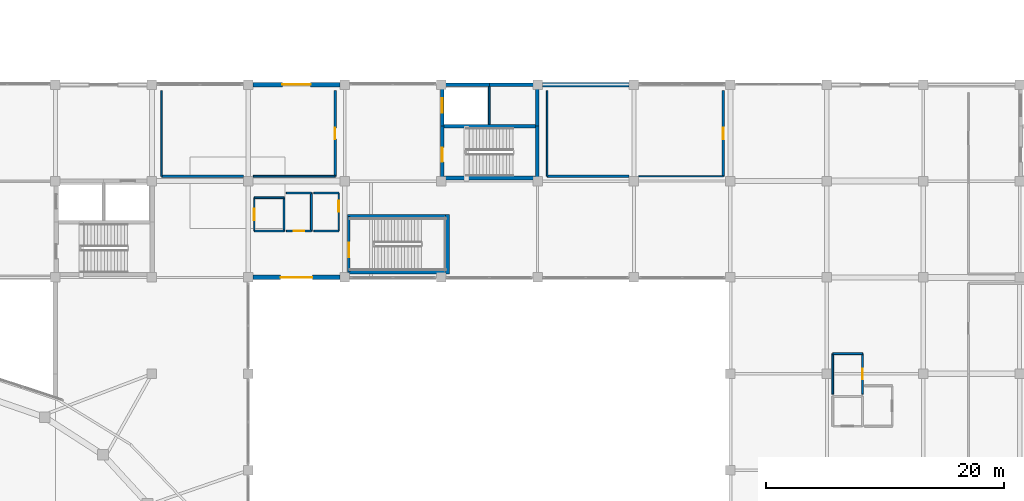
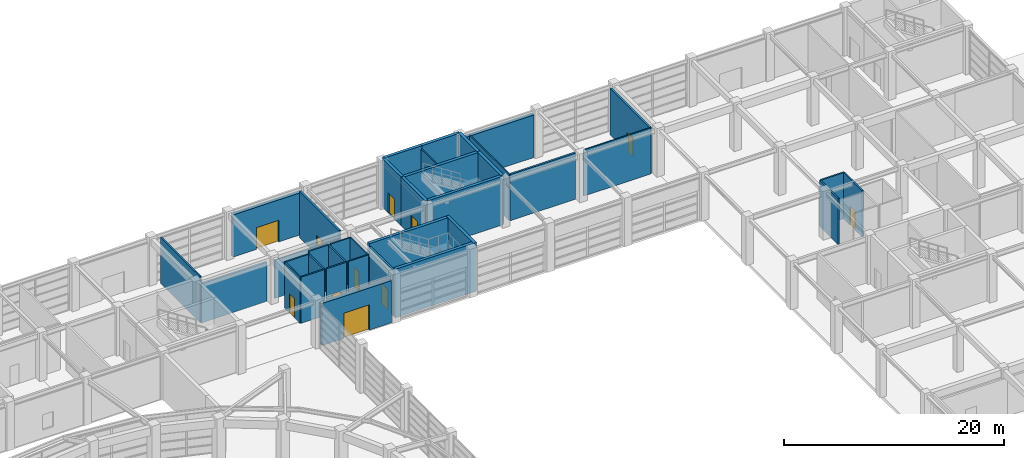
# One storey, part 40 of 52: 37 walls, 11 doors, 11 openings.
"""IFC4 building model written with IfcOpenShell, lengths in metres."""

from ifc_helpers import new_model, si_unit, direction, frame, frame_2d, origin, place, context, subcontext, project, spatial, rectangle, extrude, material, layer, layer_set, type_object, element, fill, save


model = new_model("IFC4")

# Units and contexts
model_context = context("Model", 3, precision=1e-05, world=origin(), true_north=direction((0.0, 1.0)))
body_context = subcontext(model_context, "Body", "Model", "MODEL_VIEW")
ifc_project = project(units=[si_unit("LENGTHUNIT", "METRE"), si_unit("AREAUNIT", "SQUARE_METRE"), si_unit("VOLUMEUNIT", "CUBIC_METRE"), si_unit("PLANEANGLEUNIT", "RADIAN"), si_unit("MASSUNIT", "GRAM", prefix="KILO")], contexts=[model_context])

# Site, building, storey
site_placement = place(None, origin())
site = spatial("IfcSite", under=ifc_project, at=site_placement, CompositionType="ELEMENT")
building_placement = place(site_placement, origin())
building = spatial("IfcBuilding", under=site, at=building_placement, Name="Parian Resonance Hall", CompositionType="ELEMENT")
storey_placement = place(building_placement, origin())
storey = spatial("IfcBuildingStorey", under=building, at=storey_placement, Name="L00", CompositionType="ELEMENT", Elevation=0.0)

# Wall, opening, door
ifc_material_1 = material(Name="Concrete C40/50", Category="concrete")
ifc_layer_1 = layer(ifc_material_1, 0.31005859375)
ifc_layer_set_1 = layer_set([ifc_layer_1], Name="Concrete C40/50")
wall_type_1 = type_object("IfcWallType", Name="CW310", PredefinedType="SHEAR", material=ifc_layer_set_1)
wall_1_placement = place(storey_placement, frame((89.18994140625, 81.25, 0.0), z_axis=(0.0, 0.0, 1.0), x_axis=(0.0, 1.0, 0.0)))
wall_1 = element("IfcWall", 1, at=wall_1_placement, inside=storey, type_object=wall_type_1, Name="Core K5 stairwell west shear wall L00", PredefinedType="SHEAR", context=body_context, shape_type="SweptSolid", body=[
    extrude(rectangle(XDim=4.360107421875, YDim=0.31005859375, at=frame_2d((2.18017578125, 0.0))), origin(), (0.0, 0.0, 1.0), 5.39990234375),
])
opening_1_placement = place(wall_1_placement, frame((1.35009765625, 0.0, 0.0)))
opening_1 = element("IfcOpeningElement", 2, at=opening_1_placement, cuts=wall_1, Name="Opening FD-01", PredefinedType="OPENING", context=body_context, shape_type="SweptSolid", body=[
    extrude(rectangle(XDim=1.199951171875, YDim=2.25, at=frame_2d((0.60009765625, 1.125))), frame((0.0, 0.1650390625, 0.0), z_axis=(0.0, -1.0, 0.0), x_axis=(1.0, 0.0, 0.0)), (0.0, 0.0, 1.0), 0.330078125),
])
ifc_material_2 = material(Name="Fire-rated acoustic steel and narra timber door", Category="steel")
door_type_1 = type_object("IfcDoorType", Name="FD-01", OperationType="NOTDEFINED", PredefinedType="DOOR", material=ifc_material_2)
door_1_placement = place(opening_1_placement, origin())
door_1 = element("IfcDoor", 3, at=door_1_placement, inside=storey, type_object=door_type_1, Name="Exit stair ST-05 fire door L00", OperationType="SINGLE_SWING_RIGHT", OverallHeight=2.25, OverallWidth=1.199951171875, PredefinedType="DOOR", context=body_context, shape_type="SweptSolid", body=[
    extrude(rectangle(XDim=1.199951171875, YDim=2.25, at=frame_2d((0.60009765625, 1.125))), frame((0.0, 0.02490234375, 0.0), z_axis=(0.0, -1.0, 0.0), x_axis=(1.0, 0.0, 0.0)), (0.0, 0.0, 1.0), 0.050048828125),
])
fill(opening_1, door_1)

wall_2_placement = place(storey_placement, frame((89.18994140625, 85.610107421875, 0.0), z_axis=(0.0, 0.0, 1.0), x_axis=(0.0, 1.0, 0.0)))
wall_2 = element("IfcWall", 4, at=wall_2_placement, inside=storey, type_object=wall_type_1, Name="Core K5 lift shaft west shear wall L00", PredefinedType="SHEAR", context=body_context, shape_type="SweptSolid", body=[
    extrude(rectangle(XDim=3.489990234375, YDim=0.31005859375, at=frame_2d((1.7451171875, 0.0))), origin(), (0.0, 0.0, 1.0), 5.39990234375),
])
opening_2_placement = place(wall_2_placement, frame((1.14501953125, 0.0, 0.0)))
opening_2 = element("IfcOpeningElement", 5, at=opening_2_placement, cuts=wall_2, Name="Opening LD-01", PredefinedType="OPENING", context=body_context, shape_type="SweptSolid", body=[
    extrude(rectangle(XDim=1.199951171875, YDim=2.199951171875, at=frame_2d((0.60009765625, 1.10009765625))), frame((0.0, 0.1650390625, 0.0), z_axis=(0.0, -1.0, 0.0), x_axis=(1.0, 0.0, 0.0)), (0.0, 0.0, 1.0), 0.330078125),
])
ifc_material_3 = material(Name="Stainless steel and bronze elevator cab", Category="steel")
door_type_2 = type_object("IfcDoorType", Name="DOOR-LIFT-1200x2200", OperationType="SLIDING_TO_LEFT", PredefinedType="DOOR", material=ifc_material_3)
door_2_placement = place(opening_2_placement, origin())
door_2 = element("IfcDoor", 6, at=door_2_placement, inside=storey, type_object=door_type_2, Name="Lift LF-06 sliding landing door L00", OperationType="SLIDING_TO_LEFT", OverallHeight=2.199951171875, OverallWidth=1.199951171875, PredefinedType="DOOR", context=body_context, shape_type="SweptSolid", body=[
    extrude(rectangle(XDim=1.199951171875, YDim=2.199951171875, at=frame_2d((0.60009765625, 1.10009765625))), frame((0.0, 0.02490234375, 0.0), z_axis=(0.0, -1.0, 0.0), x_axis=(1.0, 0.0, 0.0)), (0.0, 0.0, 1.0), 0.050048828125),
])
fill(opening_2, door_2)

# Walls
wall_3_placement = place(storey_placement, frame((89.18994140625, 89.10009765625, 0.0), z_axis=(0.0, 0.0, 1.0), x_axis=(1.0, 0.0, 0.0)))
element("IfcWall", 7, at=wall_3_placement, inside=storey, type_object=wall_type_1, Name="Core K5 north-west shaft wall L00", PredefinedType="SHEAR", context=body_context, shape_type="SweptSolid", body=[
    extrude(rectangle(XDim=3.9599609375, YDim=0.31005859375, at=frame_2d((1.97998046875, 0.0))), origin(), (0.0, 0.0, 1.0), 5.39990234375),
])
wall_4_placement = place(storey_placement, frame((93.14990234375, 89.10009765625, 0.0), z_axis=(0.0, 0.0, 1.0), x_axis=(1.0, 0.0, 0.0)))
element("IfcWall", 8, at=wall_4_placement, inside=storey, type_object=wall_type_1, Name="Core K5 north-east shaft wall L00", PredefinedType="SHEAR", context=body_context, shape_type="SweptSolid", body=[
    extrude(rectangle(XDim=4.02001953125, YDim=0.31005859375, at=frame_2d((2.010009765625, 0.0))), origin(), (0.0, 0.0, 1.0), 5.39990234375),
])
wall_5_placement = place(storey_placement, frame((97.169921875, 89.10009765625, 0.0), z_axis=(0.0, 0.0, 1.0), x_axis=(0.0, -1.0, 0.0)))
element("IfcWall", 9, at=wall_5_placement, inside=storey, type_object=wall_type_1, Name="Core K5 east shaft wall L00", PredefinedType="SHEAR", context=body_context, shape_type="SweptSolid", body=[
    extrude(rectangle(XDim=3.489990234375, YDim=0.31005859375, at=frame_2d((1.7451171875, 0.0))), origin(), (0.0, 0.0, 1.0), 5.39990234375),
])
wall_6_placement = place(storey_placement, frame((97.169921875, 85.610107421875, 0.0), z_axis=(0.0, 0.0, 1.0), x_axis=(0.0, -1.0, 0.0)))
element("IfcWall", 10, at=wall_6_placement, inside=storey, type_object=wall_type_1, Name="Core K5 stairwell east wall L00", PredefinedType="SHEAR", context=body_context, shape_type="SweptSolid", body=[
    extrude(rectangle(XDim=4.360107421875, YDim=0.31005859375, at=frame_2d((2.18017578125, 0.0))), origin(), (0.0, 0.0, 1.0), 5.39990234375),
])
for number, where, z_axis, x_axis, name in (
    (11, (97.169921875, 81.25, 0.0), (0.0, 0.0, 1.0), (-1.0, 0.0, 0.0), "Core K5 stairwell south wall L00"),
    (12, (89.18994140625, 85.610107421875, 0.0), (0.0, 0.0, 1.0), (1.0, 0.0, 0.0), "Core K5 stair-lift divider wall L00"),
):
    element("IfcWall", number, at=place(storey_placement, frame(where, z_axis=z_axis, x_axis=x_axis)), inside=storey, type_object=wall_type_1, Name=name, PredefinedType="SHEAR", context=body_context, shape_type="SweptSolid", body=[
        extrude(rectangle(XDim=7.97998046875, YDim=0.31005859375, at=frame_2d((3.989990234375, 0.0))), origin(), (0.0, 0.0, 1.0), 5.39990234375),
    ])
wall_7_placement = place(storey_placement, frame((81.25, 73.35009765625, 0.0), z_axis=(0.0, 0.0, 1.0), x_axis=(1.0, 0.0, 0.0)))
element("IfcWall", 13, at=wall_7_placement, inside=storey, type_object=wall_type_1, Name="Enclosed foyer exit stair ST-08 shear wall L00-S", PredefinedType="SHEAR", context=body_context, shape_type="SweptSolid", body=[
    extrude(rectangle(XDim=8.544921875, YDim=0.31005859375, at=frame_2d((4.2724609375, 0.0))), origin(), (0.0, 0.0, 1.0), 5.39990234375),
])
wall_8_placement = place(storey_placement, frame((89.639892578125, 73.195068359375, 0.0), z_axis=(0.0, 0.0, 1.0), x_axis=(0.0, 1.0, 0.0)))
element("IfcWall", 14, at=wall_8_placement, inside=storey, type_object=wall_type_1, Name="Enclosed foyer exit stair ST-08 shear wall L00-E", PredefinedType="SHEAR", context=body_context, shape_type="SweptSolid", body=[
    extrude(rectangle(XDim=4.989990234375, YDim=0.31005859375, at=frame_2d((2.4951171875, 0.0))), origin(), (0.0, 0.0, 1.0), 5.39990234375),
])
wall_9_placement = place(storey_placement, frame((89.794921875, 78.030029296875, 0.0), z_axis=(0.0, 0.0, 1.0), x_axis=(-1.0, 0.0, 0.0)))
element("IfcWall", 15, at=wall_9_placement, inside=storey, type_object=wall_type_1, Name="Enclosed foyer exit stair ST-08 shear wall L00-N", PredefinedType="SHEAR", context=body_context, shape_type="SweptSolid", body=[
    extrude(rectangle(XDim=8.544921875, YDim=0.31005859375, at=frame_2d((4.2724609375, 0.0))), origin(), (0.0, 0.0, 1.0), 5.39990234375),
])

# Wall, opening, door
ifc_material_4 = material(Name="Concrete C35/45 with Carcar coral-limestone ashlar", Category="masonry")
ifc_layer_2 = layer(ifc_material_4, 0.3798828125)
ifc_layer_set_2 = layer_set([ifc_layer_2], Name="Concrete C35/45 with Carcar coral-limestone ashlar")
wall_type_2 = type_object("IfcWallType", Name="EW-PLINTH-380", PredefinedType="SOLIDWALL", material=ifc_layer_set_2)
wall_10_placement = place(storey_placement, frame((73.300048828125, 89.10009765625, 0.0), z_axis=(0.0, 0.0, 1.0), x_axis=(1.0, 0.0, 0.0)))
wall_10 = element("IfcWall", 16, at=wall_10_placement, inside=storey, type_object=wall_type_2, Name="Exterior wall EW-L00-0147", PredefinedType="SOLIDWALL", context=body_context, shape_type="SweptSolid", body=[
    extrude(rectangle(XDim=7.300048828125, YDim=0.3798828125, at=frame_2d((3.64990234375, 0.0))), origin(), (0.0, 0.0, 1.0), 4.675048828125),
])
opening_3_placement = place(wall_10_placement, frame((2.469970703125, 0.0, 0.0)))
opening_3 = element("IfcOpeningElement", 17, at=opening_3_placement, cuts=wall_10, Name="Opening EX-01", PredefinedType="OPENING", context=body_context, shape_type="SweptSolid", body=[
    extrude(rectangle(XDim=2.360107421875, YDim=2.39990234375, at=frame_2d((1.18017578125, 1.199951171875))), frame((0.0, 0.199951171875, 0.0), z_axis=(0.0, -1.0, 0.0), x_axis=(1.0, 0.0, 0.0)), (0.0, 0.0, 1.0), 0.39990234375),
])
ifc_material_5 = material(Name="Marine-grade bronze and acoustic glazed door")
door_type_3 = type_object("IfcDoorType", Name="ED-EXIT-2000x2400", OperationType="NOTDEFINED", PredefinedType="DOOR", material=ifc_material_5)
door_3_placement = place(opening_3_placement, origin())
door_3 = element("IfcDoor", 18, at=door_3_placement, inside=storey, type_object=door_type_3, Name="North garden exit door EX-V4-9", OperationType="DOUBLE_DOOR_SINGLE_SWING", OverallHeight=2.39990234375, OverallWidth=2.360107421875, PredefinedType="DOOR", context=body_context, shape_type="SweptSolid", body=[
    extrude(rectangle(XDim=2.360107421875, YDim=2.39990234375, at=frame_2d((1.18017578125, 1.199951171875))), frame((0.0, 0.02490234375, 0.0), z_axis=(0.0, -1.0, 0.0), x_axis=(1.0, 0.0, 0.0)), (0.0, 0.0, 1.0), 0.050048828125),
])
fill(opening_3, door_3)

# Wall
wall_11_placement = place(storey_placement, frame((97.60009765625, 89.10009765625, 0.0), z_axis=(0.0, 0.0, 1.0), x_axis=(1.0, 0.0, 0.0)))
element("IfcWall", 19, at=wall_11_placement, inside=storey, type_object=wall_type_2, Name="Exterior wall EW-L00-0148", PredefinedType="SOLIDWALL", context=body_context, shape_type="SweptSolid", body=[
    extrude(rectangle(XDim=7.2998046875, YDim=0.3798828125, at=frame_2d((3.64990234375, 0.0))), origin(), (0.0, 0.0, 1.0), 4.72705078125),
])

# Wall, opening, door
wall_12_placement = place(storey_placement, frame((80.60009765625, 72.89990234375, 0.0), z_axis=(0.0, 0.0, 1.0), x_axis=(-1.0, 0.0, 0.0)))
wall_12 = element("IfcWall", 20, at=wall_12_placement, inside=storey, type_object=wall_type_2, Name="Exterior wall EW-L00-0149", PredefinedType="SOLIDWALL", context=body_context, shape_type="SweptSolid", body=[
    extrude(rectangle(XDim=7.300048828125, YDim=0.3798828125, at=frame_2d((3.64990234375, 0.0))), origin(), (0.0, 0.0, 1.0), 4.675048828125),
])
opening_4_placement = place(wall_12_placement, frame((2.324951171875, 0.0, 0.0)))
opening_4 = element("IfcOpeningElement", 21, at=opening_4_placement, cuts=wall_12, Name="Opening CG-01", PredefinedType="OPENING", context=body_context, shape_type="SweptSolid", body=[
    extrude(rectangle(XDim=2.64990234375, YDim=2.800048828125, at=frame_2d((1.324951171875, 1.39990234375))), frame((0.0, 0.199951171875, 0.0), z_axis=(0.0, -1.0, 0.0), x_axis=(1.0, 0.0, 0.0)), (0.0, 0.0, 1.0), 0.39990234375),
])
ifc_material_6 = material(Name="Marine-grade bronze and acoustic glazed door")
door_type_4 = type_object("IfcDoorType", Name="GATE-COURT-2650x2800", OperationType="NOTDEFINED", PredefinedType="GATE", material=ifc_material_6)
door_4_placement = place(opening_4_placement, origin())
door_4 = element("IfcDoor", 22, at=door_4_placement, inside=storey, type_object=door_type_4, Name="Central court north bronze gate CG-N", OperationType="DOUBLE_DOOR_SINGLE_SWING", OverallHeight=2.800048828125, OverallWidth=2.64990234375, PredefinedType="GATE", context=body_context, shape_type="SweptSolid", body=[
    extrude(rectangle(XDim=2.64990234375, YDim=2.800048828125, at=frame_2d((1.324951171875, 1.39990234375))), frame((0.0, 0.02490234375, 0.0), z_axis=(0.0, -1.0, 0.0), x_axis=(1.0, 0.0, 0.0)), (0.0, 0.0, 1.0), 0.050048828125),
])
fill(opening_4, door_4)

ifc_material_7 = material(Name="Concrete C35/45 fire barrier", Category="concrete")
ifc_layer_3 = layer(ifc_material_7, 0.199951171875)
ifc_layer_set_3 = layer_set([ifc_layer_3], Name="Concrete C35/45 fire barrier")
wall_type_3 = type_object("IfcWallType", Name="FW200", PredefinedType="PARTITIONING", material=ifc_layer_set_3)
wall_13_placement = place(storey_placement, frame((81.35009765625, 73.35009765625, 0.0), z_axis=(0.0, 0.0, 1.0), x_axis=(0.0, 1.0, 0.0)))
wall_13 = element("IfcWall", 23, at=wall_13_placement, inside=storey, type_object=wall_type_3, Name="Enclosed foyer exit stair ST-08 fire-door front wall L00", PredefinedType="PARTITIONING", context=body_context, shape_type="SweptSolid", body=[
    extrude(rectangle(XDim=4.679931640625, YDim=0.199951171875, at=frame_2d((2.33984375, 0.0))), origin(), (0.0, 0.0, 1.0), 5.050048828125),
])
opening_5_placement = place(wall_13_placement, frame((1.25, 0.0, 0.0)))
opening_5 = element("IfcOpeningElement", 24, at=opening_5_placement, cuts=wall_13, Name="Opening FD-01", PredefinedType="OPENING", context=body_context, shape_type="SweptSolid", body=[
    extrude(rectangle(XDim=1.199951171875, YDim=2.25, at=frame_2d((0.60009765625, 1.125))), frame((0.0, 0.10986328125, 0.0), z_axis=(0.0, -1.0, 0.0), x_axis=(1.0, 0.0, 0.0)), (0.0, 0.0, 1.0), 0.219970703125),
])
door_5_placement = place(opening_5_placement, origin())
door_5 = element("IfcDoor", 25, at=door_5_placement, inside=storey, type_object=door_type_1, Name="Exit stair ST-08 fire door L00", OperationType="SINGLE_SWING_RIGHT", OverallHeight=2.25, OverallWidth=1.199951171875, PredefinedType="DOOR", context=body_context, shape_type="SweptSolid", body=[
    extrude(rectangle(XDim=1.199951171875, YDim=2.25, at=frame_2d((0.60009765625, 1.125))), frame((0.0, 0.02490234375, 0.0), z_axis=(0.0, -1.0, 0.0), x_axis=(1.0, 0.0, 0.0)), (0.0, 0.0, 1.0), 0.050048828125),
])
fill(opening_5, door_5)

wall_14_placement = place(storey_placement, frame((80.199951171875, 88.60009765625, 0.0), z_axis=(0.0, 0.0, 1.0), x_axis=(0.0, -1.0, 0.0)))
wall_14 = element("IfcWall", 26, at=wall_14_placement, inside=storey, type_object=wall_type_3, Name="Interior acoustic partition IW-L00-0076", PredefinedType="PARTITIONING", context=body_context, shape_type="SweptSolid", body=[
    extrude(rectangle(XDim=7.2001953125, YDim=0.199951171875, at=frame_2d((3.60009765625, 0.0))), origin(), (0.0, 0.0, 1.0), 5.1201171875),
])
opening_6_placement = place(wall_14_placement, frame((3.125, 0.0, 0.0)))
opening_6 = element("IfcOpeningElement", 27, at=opening_6_placement, cuts=wall_14, Name="Opening ID-18", PredefinedType="OPENING", context=body_context, shape_type="SweptSolid", body=[
    extrude(rectangle(XDim=0.949951171875, YDim=2.14990234375, at=frame_2d((0.47509765625, 1.074951171875))), frame((0.0, 0.10986328125, 0.0), z_axis=(0.0, -1.0, 0.0), x_axis=(1.0, 0.0, 0.0)), (0.0, 0.0, 1.0), 0.219970703125),
])
ifc_material_8 = material(Name="Philippine narra acoustic timber door", Category="wood")
door_type_5 = type_object("IfcDoorType", Name="ID-OFF-0950x2150", OperationType="NOTDEFINED", PredefinedType="DOOR", material=ifc_material_8)
door_6_placement = place(opening_6_placement, origin())
door_6 = element("IfcDoor", 28, at=door_6_placement, inside=storey, type_object=door_type_5, Name="Community Music Room 02 door", OperationType="SINGLE_SWING_LEFT", OverallHeight=2.14990234375, OverallWidth=0.949951171875, PredefinedType="DOOR", context=body_context, shape_type="SweptSolid", body=[
    extrude(rectangle(XDim=0.949951171875, YDim=2.14990234375, at=frame_2d((0.47509765625, 1.074951171875))), frame((0.0, 0.02490234375, 0.0), z_axis=(0.0, -1.0, 0.0), x_axis=(1.0, 0.0, 0.0)), (0.0, 0.0, 1.0), 0.050048828125),
])
fill(opening_6, door_6)

# Wall
wall_15_placement = place(storey_placement, frame((72.47998046875, 81.39990234375, 0.0), z_axis=(0.0, 0.0, 1.0), x_axis=(-1.0, 0.0, 0.0)))
element("IfcWall", 29, at=wall_15_placement, inside=storey, type_object=wall_type_3, Name="Interior acoustic partition IW-L00-0078", PredefinedType="PARTITIONING", context=body_context, shape_type="SweptSolid", body=[
    extrude(rectangle(XDim=6.8798828125, YDim=0.199951171875, at=frame_2d((3.43994140625, 0.0))), origin(), (0.0, 0.0, 1.0), 4.343994140625),
])

# Wall, opening, door
wall_16_placement = place(storey_placement, frame((112.800048828125, 88.60009765625, 0.0), z_axis=(0.0, 0.0, 1.0), x_axis=(0.0, -1.0, 0.0)))
wall_16 = element("IfcWall", 30, at=wall_16_placement, inside=storey, type_object=wall_type_3, Name="Interior acoustic partition IW-L00-0080", PredefinedType="PARTITIONING", context=body_context, shape_type="SweptSolid", body=[
    extrude(rectangle(XDim=7.2001953125, YDim=0.199951171875, at=frame_2d((3.60009765625, 0.0))), origin(), (0.0, 0.0, 1.0), 5.1201171875),
])
opening_7_placement = place(wall_16_placement, frame((3.125, 0.0, 0.0)))
opening_7 = element("IfcOpeningElement", 31, at=opening_7_placement, cuts=wall_16, Name="Opening ID-19", PredefinedType="OPENING", context=body_context, shape_type="SweptSolid", body=[
    extrude(rectangle(XDim=0.949951171875, YDim=2.080078125, at=frame_2d((0.47509765625, 1.0400390625))), frame((0.0, 0.10986328125, 0.0), z_axis=(0.0, -1.0, 0.0), x_axis=(1.0, 0.0, 0.0)), (0.0, 0.0, 1.0), 0.219970703125),
])
ifc_material_9 = material(Name="Philippine narra acoustic timber door", Category="wood")
door_type_6 = type_object("IfcDoorType", Name="ID-OFF-0950x2080", OperationType="NOTDEFINED", PredefinedType="DOOR", material=ifc_material_9)
door_7_placement = place(opening_7_placement, origin())
door_7 = element("IfcDoor", 32, at=door_7_placement, inside=storey, type_object=door_type_6, Name="Youth Ensemble Workshop door", OperationType="SINGLE_SWING_RIGHT", OverallHeight=2.080078125, OverallWidth=0.949951171875, PredefinedType="DOOR", context=body_context, shape_type="SweptSolid", body=[
    extrude(rectangle(XDim=0.949951171875, YDim=2.080078125, at=frame_2d((0.47509765625, 1.0400390625))), frame((0.0, 0.02490234375, 0.0), z_axis=(0.0, -1.0, 0.0), x_axis=(1.0, 0.0, 0.0)), (0.0, 0.0, 1.0), 0.050048828125),
])
fill(opening_7, door_7)

# Walls
wall_17_placement = place(storey_placement, frame((104.8798828125, 81.39990234375, 0.0), z_axis=(0.0, 0.0, 1.0), x_axis=(-1.0, 0.0, 0.0)))
element("IfcWall", 33, at=wall_17_placement, inside=storey, type_object=wall_type_3, Name="Interior acoustic partition IW-L00-0082", PredefinedType="PARTITIONING", context=body_context, shape_type="SweptSolid", body=[
    extrude(rectangle(XDim=6.8798828125, YDim=0.199951171875, at=frame_2d((3.43994140625, 0.0))), origin(), (0.0, 0.0, 1.0), 5.1201171875),
])
ifc_material_10 = material(Name="Concrete C35/45 acoustic masonry partition", Category="masonry")
ifc_layer_4 = layer(ifc_material_10, 0.1201171875)
ifc_layer_set_4 = layer_set([ifc_layer_4], Name="Concrete C35/45 acoustic masonry partition")
wall_type_4 = type_object("IfcWallType", Name="PW120", PredefinedType="PARTITIONING", material=ifc_layer_set_4)
wall_18_placement = place(storey_placement, frame((112.800048828125, 81.39990234375, 0.0), z_axis=(0.0, 0.0, 1.0), x_axis=(-1.0, 0.0, 0.0)))
element("IfcWall", 34, at=wall_18_placement, inside=storey, type_object=wall_type_4, Name="Interior acoustic partition IW-L00-0081", PredefinedType="PARTITIONING", context=body_context, shape_type="SweptSolid", body=[
    extrude(rectangle(XDim=7.080078125, YDim=0.1201171875, at=frame_2d((3.5400390625, 0.0))), origin(), (0.0, 0.0, 1.0), 5.1201171875),
])
wall_19_placement = place(storey_placement, frame((98.0, 81.39990234375, 0.0), z_axis=(0.0, 0.0, 1.0), x_axis=(0.0, 1.0, 0.0)))
element("IfcWall", 35, at=wall_19_placement, inside=storey, type_object=wall_type_4, Name="Interior acoustic partition IW-L00-0083", PredefinedType="PARTITIONING", context=body_context, shape_type="SweptSolid", body=[
    extrude(rectangle(XDim=7.2001953125, YDim=0.1201171875, at=frame_2d((3.60009765625, 0.0))), origin(), (0.0, 0.0, 1.0), 5.1201171875),
])
ifc_material_11 = material(Name="Concrete C35/45 acoustic masonry partition", Category="masonry")
ifc_layer_5 = layer(ifc_material_11, 0.139892578125)
ifc_layer_set_5 = layer_set([ifc_layer_5], Name="Concrete C35/45 acoustic masonry partition")
wall_type_5 = type_object("IfcWallType", Name="PW140", PredefinedType="PARTITIONING", material=ifc_layer_set_5)
wall_20_placement = place(storey_placement, frame((80.199951171875, 81.39990234375, 0.0), z_axis=(0.0, 0.0, 1.0), x_axis=(-1.0, 0.0, 0.0)))
element("IfcWall", 36, at=wall_20_placement, inside=storey, type_object=wall_type_5, Name="Interior acoustic partition IW-L00-0077", PredefinedType="PARTITIONING", context=body_context, shape_type="SweptSolid", body=[
    extrude(rectangle(XDim=6.8798828125, YDim=0.139892578125, at=frame_2d((3.43994140625, 0.0))), origin(), (0.0, 0.0, 1.0), 4.243896484375),
])
wall_21_placement = place(storey_placement, frame((65.60009765625, 81.39990234375, 0.0), z_axis=(0.0, 0.0, 1.0), x_axis=(0.0, 1.0, 0.0)))
element("IfcWall", 37, at=wall_21_placement, inside=storey, type_object=wall_type_5, Name="Interior acoustic partition IW-L00-0079", PredefinedType="PARTITIONING", context=body_context, shape_type="SweptSolid", body=[
    extrude(rectangle(XDim=7.2001953125, YDim=0.139892578125, at=frame_2d((3.60009765625, 0.0))), origin(), (0.0, 0.0, 1.0), 5.1201171875),
])
ifc_material_12 = material(Name="Concrete C35/45 acoustic plumbing chase wall", Category="concrete")
ifc_layer_6 = layer(ifc_material_12, 0.14990234375)
ifc_layer_set_6 = layer_set([ifc_layer_6], Name="Concrete C35/45 acoustic plumbing chase wall")
wall_type_6 = type_object("IfcWallType", Name="PW150", PredefinedType="PLUMBINGWALL", material=ifc_layer_set_6)
wall_22_placement = place(storey_placement, frame((93.14990234375, 85.77001953125, 0.0), z_axis=(0.0, 0.0, 1.0), x_axis=(0.0, 1.0, 0.0)))
element("IfcWall", 38, at=wall_22_placement, inside=storey, type_object=wall_type_6, Name="Core K5 shaft plumbing/riser divider L00", PredefinedType="PLUMBINGWALL", context=body_context, shape_type="SweptSolid", body=[
    extrude(rectangle(XDim=3.169921875, YDim=0.14990234375, at=frame_2d((1.5849609375, 0.0))), origin(), (0.0, 0.0, 1.0), 5.050048828125),
])
wall_23_placement = place(storey_placement, frame((75.89990234375, 79.60009765625, 0.0), z_axis=(0.0, 0.0, 1.0), x_axis=(0.0, -1.0, 0.0)))
element("IfcWall", 39, at=wall_23_placement, inside=storey, type_object=wall_type_6, Name="Interior acoustic partition IW-L00-0022", PredefinedType="PLUMBINGWALL", context=body_context, shape_type="SweptSolid", body=[
    extrude(rectangle(XDim=2.800048828125, YDim=0.14990234375, at=frame_2d((1.39990234375, 0.0))), origin(), (0.0, 0.0, 1.0), 5.1201171875),
])
wall_24_placement = place(storey_placement, frame((75.89990234375, 76.800048828125, 0.0), z_axis=(0.0, 0.0, 1.0), x_axis=(-1.0, 0.0, 0.0)))
element("IfcWall", 40, at=wall_24_placement, inside=storey, type_object=wall_type_6, Name="Interior acoustic partition IW-L00-0023", PredefinedType="PLUMBINGWALL", context=body_context, shape_type="SweptSolid", body=[
    extrude(rectangle(XDim=2.5, YDim=0.14990234375, at=frame_2d((1.25, 0.0))), origin(), (0.0, 0.0, 1.0), 5.1201171875),
])

# Wall, opening, door
wall_25_placement = place(storey_placement, frame((73.39990234375, 76.800048828125, 0.0), z_axis=(0.0, 0.0, 1.0), x_axis=(0.0, 1.0, 0.0)))
wall_25 = element("IfcWall", 41, at=wall_25_placement, inside=storey, type_object=wall_type_6, Name="Interior acoustic partition IW-L00-0024", PredefinedType="PLUMBINGWALL", context=body_context, shape_type="SweptSolid", body=[
    extrude(rectangle(XDim=2.800048828125, YDim=0.14990234375, at=frame_2d((1.39990234375, 0.0))), origin(), (0.0, 0.0, 1.0), 5.1201171875),
])
opening_8_placement = place(wall_25_placement, frame((0.919921875, 0.0, 0.0)))
opening_8 = element("IfcOpeningElement", 42, at=opening_8_placement, cuts=wall_25, Name="Opening ID-21", PredefinedType="OPENING", context=body_context, shape_type="SweptSolid", body=[
    extrude(rectangle(XDim=0.9599609375, YDim=2.159912109375, at=frame_2d((0.47998046875, 1.080078125))), frame((0.0, 0.0849609375, 0.0), z_axis=(0.0, -1.0, 0.0), x_axis=(1.0, 0.0, 0.0)), (0.0, 0.0, 1.0), 0.169921875),
])
ifc_material_13 = material(Name="Philippine narra acoustic timber door", Category="wood")
door_type_7 = type_object("IfcDoorType", Name="ID-AWC-0960x2160", OperationType="NOTDEFINED", PredefinedType="DOOR", material=ifc_material_13)
door_8_placement = place(opening_8_placement, origin())
door_8 = element("IfcDoor", 43, at=door_8_placement, inside=storey, type_object=door_type_7, Name="Accessible WC W1 door", OperationType="SINGLE_SWING_LEFT", OverallHeight=2.159912109375, OverallWidth=0.9599609375, PredefinedType="DOOR", context=body_context, shape_type="SweptSolid", body=[
    extrude(rectangle(XDim=0.9599609375, YDim=2.159912109375, at=frame_2d((0.47998046875, 1.080078125))), frame((0.0, 0.02490234375, 0.0), z_axis=(0.0, -1.0, 0.0), x_axis=(1.0, 0.0, 0.0)), (0.0, 0.0, 1.0), 0.050048828125),
])
fill(opening_8, door_8)

# Walls
wall_26_placement = place(storey_placement, frame((73.39990234375, 79.60009765625, 0.0), z_axis=(0.0, 0.0, 1.0), x_axis=(1.0, 0.0, 0.0)))
element("IfcWall", 44, at=wall_26_placement, inside=storey, type_object=wall_type_6, Name="Interior acoustic partition IW-L00-0025", PredefinedType="PLUMBINGWALL", context=body_context, shape_type="SweptSolid", body=[
    extrude(rectangle(XDim=2.5, YDim=0.14990234375, at=frame_2d((1.25, 0.0))), origin(), (0.0, 0.0, 1.0), 5.1201171875),
])
wall_27_placement = place(storey_placement, frame((78.199951171875, 80.0, 0.0), z_axis=(0.0, 0.0, 1.0), x_axis=(0.0, -1.0, 0.0)))
element("IfcWall", 45, at=wall_27_placement, inside=storey, type_object=wall_type_6, Name="Interior acoustic partition IW-L00-0026", PredefinedType="PLUMBINGWALL", context=body_context, shape_type="SweptSolid", body=[
    extrude(rectangle(XDim=3.199951171875, YDim=0.14990234375, at=frame_2d((1.60009765625, 0.0))), origin(), (0.0, 0.0, 1.0), 5.1201171875),
])

# Wall, opening, door
wall_28_placement = place(storey_placement, frame((78.199951171875, 76.800048828125, 0.0), z_axis=(0.0, 0.0, 1.0), x_axis=(-1.0, 0.0, 0.0)))
wall_28 = element("IfcWall", 46, at=wall_28_placement, inside=storey, type_object=wall_type_6, Name="Interior acoustic partition IW-L00-0027", PredefinedType="PLUMBINGWALL", context=body_context, shape_type="SweptSolid", body=[
    extrude(rectangle(XDim=2.099853515625, YDim=0.14990234375, at=frame_2d((1.0498046875, 0.0))), origin(), (0.0, 0.0, 1.0), 5.1201171875),
])
opening_9_placement = place(wall_28_placement, frame((0.60009765625, 0.0, 0.0)))
opening_9 = element("IfcOpeningElement", 47, at=opening_9_placement, cuts=wall_28, Name="Opening ID-22", PredefinedType="OPENING", context=body_context, shape_type="SweptSolid", body=[
    extrude(rectangle(XDim=0.89990234375, YDim=2.10009765625, at=frame_2d((0.449951171875, 1.050048828125))), frame((0.0, 0.0849609375, 0.0), z_axis=(0.0, -1.0, 0.0), x_axis=(1.0, 0.0, 0.0)), (0.0, 0.0, 1.0), 0.169921875),
])
ifc_material_14 = material(Name="Philippine narra acoustic timber door", Category="wood")
door_type_8 = type_object("IfcDoorType", Name="ID-WC-0900x2100", OperationType="NOTDEFINED", PredefinedType="DOOR", material=ifc_material_14)
door_9_placement = place(opening_9_placement, origin())
door_9 = element("IfcDoor", 48, at=door_9_placement, inside=storey, type_object=door_type_8, Name="Male Restroom W1 door", OperationType="SINGLE_SWING_RIGHT", OverallHeight=2.10009765625, OverallWidth=0.89990234375, PredefinedType="DOOR", context=body_context, shape_type="SweptSolid", body=[
    extrude(rectangle(XDim=0.89990234375, YDim=2.10009765625, at=frame_2d((0.449951171875, 1.050048828125))), frame((0.0, 0.02490234375, 0.0), z_axis=(0.0, -1.0, 0.0), x_axis=(1.0, 0.0, 0.0)), (0.0, 0.0, 1.0), 0.050048828125),
])
fill(opening_9, door_9)

# Wall
wall_29_placement = place(storey_placement, frame((76.10009765625, 80.0, 0.0), z_axis=(0.0, 0.0, 1.0), x_axis=(1.0, 0.0, 0.0)))
element("IfcWall", 49, at=wall_29_placement, inside=storey, type_object=wall_type_6, Name="Interior acoustic partition IW-L00-0028", PredefinedType="PLUMBINGWALL", context=body_context, shape_type="SweptSolid", body=[
    extrude(rectangle(XDim=2.099853515625, YDim=0.14990234375, at=frame_2d((1.0498046875, 0.0))), origin(), (0.0, 0.0, 1.0), 5.1201171875),
])

# Wall, opening, door
wall_30_placement = place(storey_placement, frame((80.5, 80.0, 0.0), z_axis=(0.0, 0.0, 1.0), x_axis=(0.0, -1.0, 0.0)))
wall_30 = element("IfcWall", 50, at=wall_30_placement, inside=storey, type_object=wall_type_6, Name="Interior acoustic partition IW-L00-0029", PredefinedType="PLUMBINGWALL", context=body_context, shape_type="SweptSolid", body=[
    extrude(rectangle(XDim=3.199951171875, YDim=0.14990234375, at=frame_2d((1.60009765625, 0.0))), origin(), (0.0, 0.0, 1.0), 5.1201171875),
])
opening_10_placement = place(wall_30_placement, frame((0.669921875, 0.0, 0.0)))
opening_10 = element("IfcOpeningElement", 51, at=opening_10_placement, cuts=wall_30, Name="Opening ID-23", PredefinedType="OPENING", context=body_context, shape_type="SweptSolid", body=[
    extrude(rectangle(XDim=0.89990234375, YDim=2.199951171875, at=frame_2d((0.449951171875, 1.10009765625))), frame((0.0, 0.0849609375, 0.0), z_axis=(0.0, -1.0, 0.0), x_axis=(1.0, 0.0, 0.0)), (0.0, 0.0, 1.0), 0.169921875),
])
ifc_material_15 = material(Name="Philippine narra acoustic timber door", Category="wood")
door_type_9 = type_object("IfcDoorType", Name="ID-WC-0900x2200", OperationType="NOTDEFINED", PredefinedType="DOOR", material=ifc_material_15)
door_10_placement = place(opening_10_placement, origin())
door_10 = element("IfcDoor", 52, at=door_10_placement, inside=storey, type_object=door_type_9, Name="Female Restroom W1 door", OperationType="SINGLE_SWING_LEFT", OverallHeight=2.199951171875, OverallWidth=0.89990234375, PredefinedType="DOOR", context=body_context, shape_type="SweptSolid", body=[
    extrude(rectangle(XDim=0.89990234375, YDim=2.199951171875, at=frame_2d((0.449951171875, 1.10009765625))), frame((0.0, 0.02490234375, 0.0), z_axis=(0.0, -1.0, 0.0), x_axis=(1.0, 0.0, 0.0)), (0.0, 0.0, 1.0), 0.050048828125),
])
fill(opening_10, door_10)

# Walls
for number, where, z_axis, x_axis, name in (
    (53, (80.5, 76.800048828125, 0.0), (0.0, 0.0, 1.0), (-1.0, 0.0, 0.0), "Interior acoustic partition IW-L00-0030"),
    (54, (78.39990234375, 80.0, 0.0), (0.0, 0.0, 1.0), (1.0, 0.0, 0.0), "Interior acoustic partition IW-L00-0031"),
):
    element("IfcWall", number, at=place(storey_placement, frame(where, z_axis=z_axis, x_axis=x_axis)), inside=storey, type_object=wall_type_6, Name=name, PredefinedType="PLUMBINGWALL", context=body_context, shape_type="SweptSolid", body=[
        extrude(rectangle(XDim=2.10009765625, YDim=0.14990234375, at=frame_2d((1.050048828125, 0.0))), origin(), (0.0, 0.0, 1.0), 5.1201171875),
    ])

# Wall, opening, door
wall_31_placement = place(storey_placement, frame((124.5, 66.5, 0.0), z_axis=(0.0, 0.0, 1.0), x_axis=(0.0, -1.0, 0.0)))
wall_31 = element("IfcWall", 55, at=wall_31_placement, inside=storey, type_object=wall_type_6, Name="Interior acoustic partition IW-L00-0039", PredefinedType="PLUMBINGWALL", context=body_context, shape_type="SweptSolid", body=[
    extrude(rectangle(XDim=3.39990234375, YDim=0.14990234375, at=frame_2d((1.699951171875, 0.0))), origin(), (0.0, 0.0, 1.0), 5.1201171875),
])
opening_11_placement = place(wall_31_placement, frame((1.25, 0.0, 0.0)))
opening_11 = element("IfcOpeningElement", 56, at=opening_11_placement, cuts=wall_31, Name="Opening ID-22", PredefinedType="OPENING", context=body_context, shape_type="SweptSolid", body=[
    extrude(rectangle(XDim=0.89990234375, YDim=2.10009765625, at=frame_2d((0.449951171875, 1.050048828125))), frame((0.0, 0.0849609375, 0.0), z_axis=(0.0, -1.0, 0.0), x_axis=(1.0, 0.0, 0.0)), (0.0, 0.0, 1.0), 0.169921875),
])
door_11_placement = place(opening_11_placement, origin())
door_11 = element("IfcDoor", 57, at=door_11_placement, inside=storey, type_object=door_type_8, Name="Male Restroom W2 door", OperationType="SINGLE_SWING_RIGHT", OverallHeight=2.10009765625, OverallWidth=0.89990234375, PredefinedType="DOOR", context=body_context, shape_type="SweptSolid", body=[
    extrude(rectangle(XDim=0.89990234375, YDim=2.10009765625, at=frame_2d((0.449951171875, 1.050048828125))), frame((0.0, 0.02490234375, 0.0), z_axis=(0.0, -1.0, 0.0), x_axis=(1.0, 0.0, 0.0)), (0.0, 0.0, 1.0), 0.050048828125),
])
fill(opening_11, door_11)

# Walls
wall_32_placement = place(storey_placement, frame((122.0, 63.10009765625, 0.0), z_axis=(0.0, 0.0, 1.0), x_axis=(0.0, 1.0, 0.0)))
element("IfcWall", 58, at=wall_32_placement, inside=storey, type_object=wall_type_6, Name="Interior acoustic partition IW-L00-0040", PredefinedType="PLUMBINGWALL", context=body_context, shape_type="SweptSolid", body=[
    extrude(rectangle(XDim=3.39990234375, YDim=0.14990234375, at=frame_2d((1.699951171875, 0.0))), origin(), (0.0, 0.0, 1.0), 5.1201171875),
])
wall_33_placement = place(storey_placement, frame((122.0, 66.5, 0.0), z_axis=(0.0, 0.0, 1.0), x_axis=(1.0, 0.0, 0.0)))
element("IfcWall", 59, at=wall_33_placement, inside=storey, type_object=wall_type_6, Name="Interior acoustic partition IW-L00-0041", PredefinedType="PLUMBINGWALL", context=body_context, shape_type="SweptSolid", body=[
    extrude(rectangle(XDim=2.5, YDim=0.14990234375, at=frame_2d((1.25, 0.0))), origin(), (0.0, 0.0, 1.0), 5.1201171875),
])

save(model, "model.ifc")
